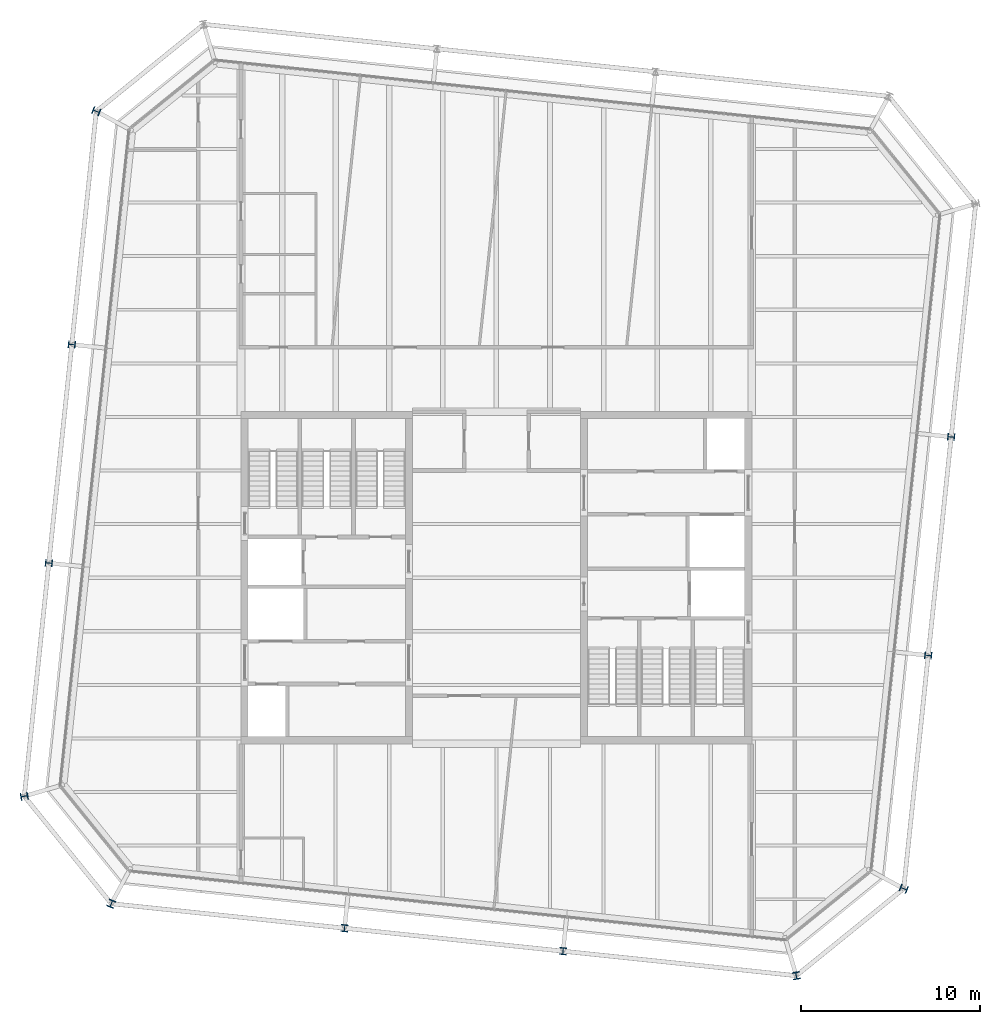
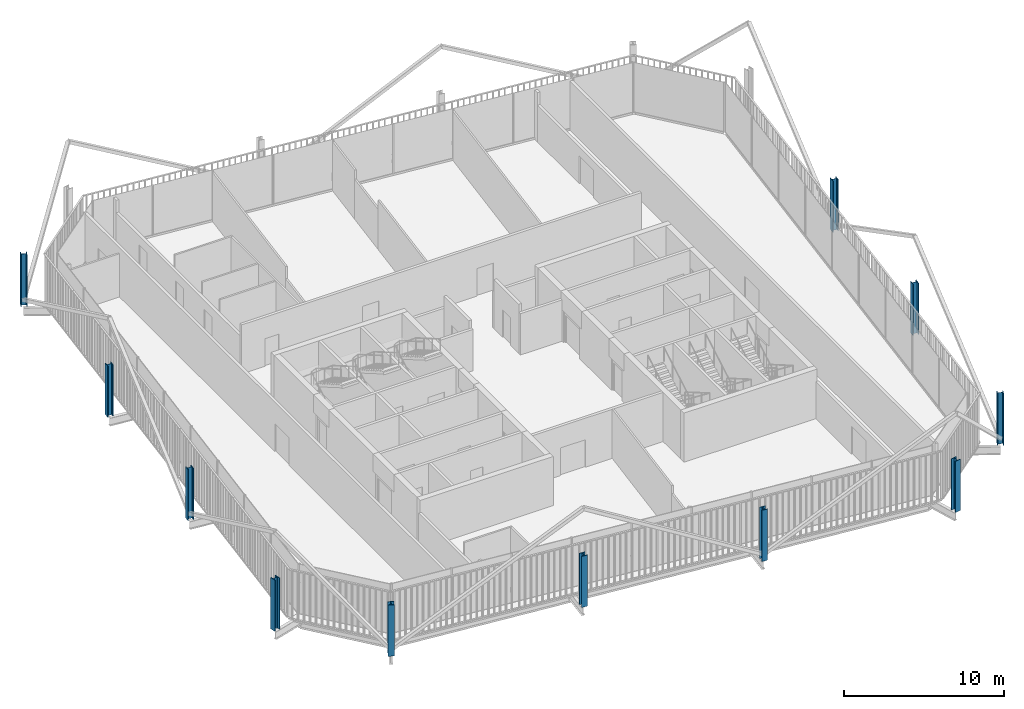
# One storey, part 1 of 21: 11 columns.
"""IFC4 building model written with IfcOpenShell, lengths in metres."""

from ifc_helpers import new_model, si_unit, direction, frame, origin, origin_2d, place, context, subcontext, project, spatial, i_section, extrude, material, material_profile, profile_set, type_object, element, save


model = new_model("IFC4")

# Units and contexts
model_context = context("Model", 3, precision=1e-05, world=origin(), true_north=direction((0.0, 1.0)))
body_context = subcontext(model_context, "Body", "Model", "MODEL_VIEW")
ifc_project = project(units=[si_unit("LENGTHUNIT", "METRE"), si_unit("AREAUNIT", "SQUARE_METRE"), si_unit("VOLUMEUNIT", "CUBIC_METRE"), si_unit("PLANEANGLEUNIT", "RADIAN"), si_unit("MASSUNIT", "GRAM", prefix="KILO")], contexts=[model_context])

# Site, building, storey
site_placement = place(None, origin())
site = spatial("IfcSite", under=ifc_project, at=site_placement, CompositionType="ELEMENT")
building_placement = place(site_placement, origin())
building = spatial("IfcBuilding", under=site, at=building_placement, Name="Millrace Tower", CompositionType="ELEMENT")
storey_placement = place(building_placement, frame((0.0, 0.0, 334.300048828125)))
storey = spatial("IfcBuildingStorey", under=building, at=storey_placement, Name="L77", CompositionType="ELEMENT", Elevation=334.300048828125)

# Columns
ifc_material_1 = material(Name="Steel ASTM A913 Grade 65", Category="steel")
ifc_material_profile_1 = material_profile(ifc_material_1, i_section(OverallWidth=0.4013671875, OverallDepth=0.398681640625, WebThickness=0.02490234375, FlangeThickness=0.03955078125, FilletRadius=0.01513671875, at=origin_2d()))
ifc_profile_set_1 = profile_set([ifc_material_profile_1], Name="Steel ASTM A913 Grade 65")
column_type_1 = type_object("IfcColumnType", Name="Exoskeleton column W14x211", PredefinedType="COLUMN", material=ifc_profile_set_1)
for number, where, z_axis, x_axis, name in (
    (1, (-8.50341796875, -19.62158203125, 0.0), (0.0, 0.0, 1.0), (0.994521897246, -0.104528445407, 0.0), "COL-E-L77-X03"),
    (2, (3.729248046875, -20.9072265625, 0.0), (0.0, 0.0, 1.0), (0.994521897246, -0.104528445407, 0.0), "COL-E-L77-X04"),
    (3, (24.171630859375, -4.353271484375, 0.0), (0.0, 0.0, 1.0), (0.104528445407, 0.994521897246, 0.0), "COL-E-L77-X07"),
    (4, (25.457275390625, 7.879150390625, 0.0), (0.0, 0.0, 1.0), (0.104528445407, 0.994521897246, 0.0), "COL-E-L77-X08"),
    (5, (-23.771484375, 13.053466796875, 0.0), (0.0, 0.0, 1.0), (-0.104528445407, -0.994521897246, 0.0), "COL-E-L77-X15"),
    (6, (-25.057373046875, 0.82080078125, 0.0), (0.0, 0.0, 1.0), (-0.104528445407, -0.994521897246, 0.0), "COL-E-L77-X16"),
):
    element("IfcColumn", number, at=place(storey_placement, frame(where, z_axis=z_axis, x_axis=x_axis)), inside=storey, type_object=column_type_1, Name=name, PredefinedType="COLUMN", context=body_context, shape_type="SweptSolid", body=[
        extrude(i_section(OverallWidth=0.4013671875, OverallDepth=0.398681640625, WebThickness=0.02490234375, FlangeThickness=0.03955078125, FilletRadius=0.01513671875, at=origin_2d()), origin(), (0.0, 0.0, 1.0), 3.89990234375),
    ])
ifc_material_2 = material(Name="Steel ASTM A913 Grade 65", Category="steel")
ifc_material_profile_2 = material_profile(ifc_material_2, i_section(OverallWidth=0.406494140625, OverallDepth=0.41650390625, WebThickness=0.030029296875, FlangeThickness=0.048095703125, FilletRadius=0.01513671875, at=origin_2d()))
ifc_profile_set_2 = profile_set([ifc_material_profile_2], Name="Steel ASTM A913 Grade 65")
column_type_2 = type_object("IfcColumnType", Name="Exoskeleton column W14x257", PredefinedType="COLUMN", material=ifc_profile_set_2)
for number, where, z_axis, x_axis, name in (
    (7, (-26.429443359375, -12.23583984375, 0.0), (0.0, 0.0, 1.0), (0.18038747256, -0.983595628164, 0.0), "COL-E-L77-X01"),
    (8, (-21.559814453125, -18.249267578125, 0.0), (0.0, 0.0, 1.0), (0.92459700658, -0.380946683176, 0.0), "COL-E-L77-X02"),
    (9, (16.78564453125, -22.279541015625, 0.0), (0.0, 0.0, 1.0), (0.983595628164, 0.18038747256, 0.0), "COL-E-L77-X05"),
    (10, (22.79931640625, -17.409912109375, 0.0), (0.0, 0.0, 1.0), (0.380946683176, 0.92459700658, 0.0), "COL-E-L77-X06"),
    (11, (-22.399169921875, 26.10986328125, 0.0), (0.0, 0.0, 1.0), (-0.380946683176, -0.92459700658, 0.0), "COL-E-L77-X14"),
):
    element("IfcColumn", number, at=place(storey_placement, frame(where, z_axis=z_axis, x_axis=x_axis)), inside=storey, type_object=column_type_2, Name=name, PredefinedType="COLUMN", context=body_context, shape_type="SweptSolid", body=[
        extrude(i_section(OverallWidth=0.406494140625, OverallDepth=0.41650390625, WebThickness=0.030029296875, FlangeThickness=0.048095703125, FilletRadius=0.01513671875, at=origin_2d()), origin(), (0.0, 0.0, 1.0), 3.89990234375),
    ])

save(model, "model.ifc")
